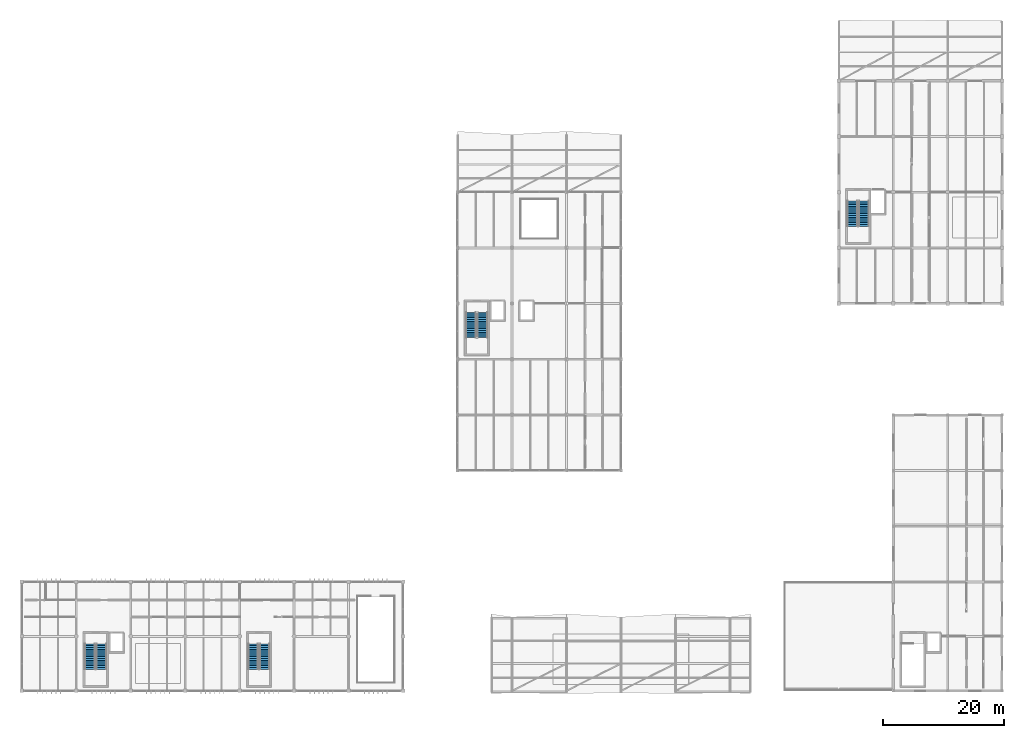
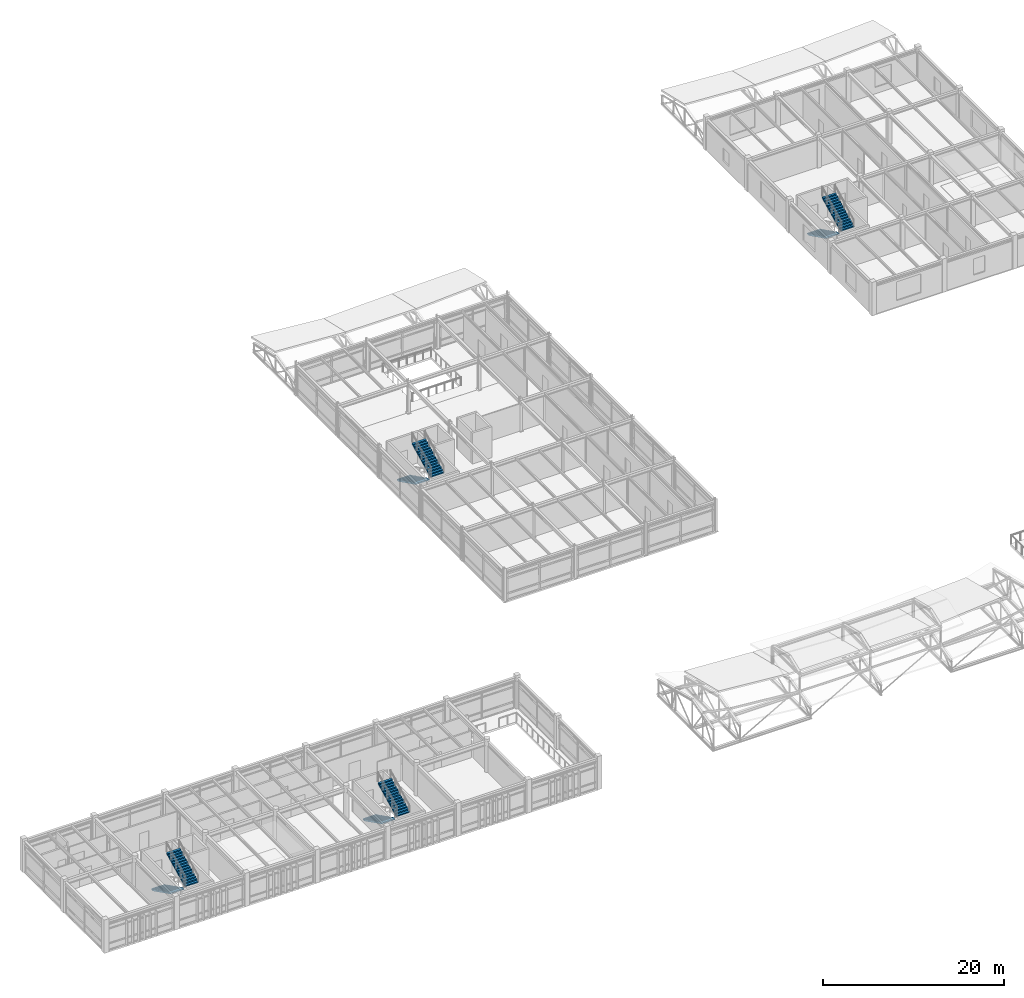
# One storey, part 47 of 55: 8 stair flights, 4 elements without a shape of their own.
"""IFC4 building model written with IfcOpenShell, lengths in metres."""

import ifcopenshell
import ifcopenshell.guid

model = None  # the IFC model being written
_history = None  # IfcOwnerHistory: only IFC2X3 demands one
_inside = {}  # id of a spatial element -> (the spatial element, [elements in it])
_under = {}  # id of a project, library or spatial element -> (it, [spatial elements below it])
_declared = {}  # id of a project -> (the project, [libraries it declares])
_typed = {}  # id of a type object -> (the type object, [elements of that type])
_made_of = {}  # id of a material, layer set ... -> (it, [elements and type objects made of it])


def new_model(schema):
    """Start an empty IFC model of exactly this schema.

    Asked for "IFC4X3", IfcOpenShell would pick the latest addendum, in which some entities
    have other attributes; the version numbers below select the first issue.
    IFC2X3 requires an IfcOwnerHistory on every rooted entity: one is made here for all.
    """
    global model, _history
    if schema == "IFC4X3":
        model = ifcopenshell.file(schema_version=(4, 3, 0, 0))
    else:
        model = ifcopenshell.file(schema=schema)
    _inside.clear()
    _under.clear()
    _declared.clear()
    _typed.clear()
    _made_of.clear()
    _history = None
    if model.schema == "IFC2X3":
        org = make("IfcOrganization", Name="unknown")
        user = make(
            "IfcPersonAndOrganization",
            ThePerson=make("IfcPerson", FamilyName="unknown"),
            TheOrganization=org,
        )
        app = make(
            "IfcApplication",
            ApplicationDeveloper=org,
            Version="unknown",
            ApplicationFullName="unknown",
            ApplicationIdentifier="unknown",
        )
        _history = make(
            "IfcOwnerHistory",
            OwningUser=user,
            OwningApplication=app,
            ChangeAction="ADDED",
            CreationDate=0,
        )
    return model


def make(cls, **values):
    """One entity of the class cls with the attributes given. An attribute that is None is left unset."""
    return model.create_entity(
        cls, **{name: value for name, value in values.items() if value is not None}
    )


def rooted(cls, **values):
    """An entity with a GlobalId (a new one), such as an element, a storey or a relation."""
    return make(cls, GlobalId=ifcopenshell.guid.new(), OwnerHistory=_history, **values)


def si_unit(unit_type, name, prefix=None):
    """IfcSIUnit, for example si_unit("LENGTHUNIT", "METRE", prefix="MILLI")."""
    return make("IfcSIUnit", UnitType=unit_type, Prefix=prefix, Name=name)


def assignment(units):
    """IfcUnitAssignment: the units of a project."""
    return None if units is None else make("IfcUnitAssignment", Units=units)


def point(xyz):
    """IfcCartesianPoint."""
    return None if xyz is None else make("IfcCartesianPoint", Coordinates=xyz)


def direction(xyz):
    """IfcDirection."""
    return None if xyz is None else make("IfcDirection", DirectionRatios=xyz)


def frame(location, z_axis=None, x_axis=None):
    """IfcAxis2Placement3D, a coordinate frame: its origin and axes. An axis left out is left unset."""
    return make(
        "IfcAxis2Placement3D",
        Location=point(location),
        Axis=direction(z_axis),
        RefDirection=direction(x_axis),
    )


def origin():
    """The frame at (0, 0, 0) with its axes left unset."""
    return frame((0.0, 0.0, 0.0))


def place(relative_to, where):
    """IfcLocalPlacement: puts the frame where relative to a parent placement (None: the world)."""
    return make(
        "IfcLocalPlacement", PlacementRelTo=relative_to, RelativePlacement=where
    )


def context(
    kind, dimensions, precision=None, world=None, true_north=None, identifier=None
):
    """IfcGeometricRepresentationContext, for example the 3D "Model" context."""
    return make(
        "IfcGeometricRepresentationContext",
        ContextIdentifier=identifier,
        ContextType=kind,
        CoordinateSpaceDimension=dimensions,
        Precision=precision,
        WorldCoordinateSystem=world,
        TrueNorth=true_north,
    )


def subcontext(parent, identifier, kind, view, scale=None):
    """IfcGeometricRepresentationSubContext, for example "Body" below "Model"."""
    return make(
        "IfcGeometricRepresentationSubContext",
        ContextIdentifier=identifier,
        ContextType=kind,
        ParentContext=parent,
        TargetScale=scale,
        TargetView=view,
    )


def project(units=None, contexts=None):
    """IfcProject with its units and contexts."""
    return rooted(
        "IfcProject",
        Name="project",
        RepresentationContexts=contexts,
        UnitsInContext=assignment(units),
    )


def spatial(cls, under=None, at=None, **own):
    """A site, building, storey or space (cls), placed at a placement, below another one or the project."""
    s = rooted(cls, ObjectPlacement=at, **own)
    if under is not None:
        _under.setdefault(under.id(), (under, []))[1].append(s)
    return s


def polyline(points):
    """IfcPolyline through the points."""
    return make("IfcPolyline", Points=[point(p) for p in points])


def outline(outer, holes=None, kind="AREA"):
    """IfcArbitraryClosedProfileDef: a profile drawn as a closed curve; with holes, ...WithVoids."""
    if holes is None:
        return make("IfcArbitraryClosedProfileDef", ProfileType=kind, OuterCurve=outer)
    return make(
        "IfcArbitraryProfileDefWithVoids",
        ProfileType=kind,
        OuterCurve=outer,
        InnerCurves=holes,
    )


def extrude(swept, where, along, depth):
    """IfcExtrudedAreaSolid: the profile swept, set in the frame where, extruded along a direction by depth."""
    return make(
        "IfcExtrudedAreaSolid",
        SweptArea=swept,
        Position=where,
        ExtrudedDirection=direction(along),
        Depth=depth,
    )


def shape(context_of_items, identifier, shape_type, items):
    """IfcShapeRepresentation: the items that make up one representation, for example the "Body"."""
    return make(
        "IfcShapeRepresentation",
        ContextOfItems=context_of_items,
        RepresentationIdentifier=identifier,
        RepresentationType=shape_type,
        Items=items,
    )


def material(Name=None, Category=None):
    """IfcMaterial."""
    return make("IfcMaterial", Name=Name, Category=Category)


def made_of(thing, what):
    """Note that an element or type object is made of a material, layer set ...; save() writes the relation."""
    if what is not None:
        _made_of.setdefault(what.id(), (what, []))[1].append(thing)
    return thing


def type_object(cls, material=None, **own):
    """A type object (cls), such as IfcWallType, which elements share."""
    return made_of(rooted(cls, **own), material)


def element(
    cls,
    number,
    at=None,
    inside=None,
    cuts=None,
    type_object=None,
    material=None,
    context=None,
    identifier="Body",
    shape_type=None,
    held_by="IfcProductDefinitionShape",
    body=None,
    shapes=None,
    **own,
):
    """One element of the class cls, such as IfcWall. Its Tag is "e" and its number.

    at: its placement. inside: the storey or other place that contains it. cuts: it is an
    opening in that element (IfcRelVoidsElement). A single representation is given by context,
    identifier, shape_type and body (its items); several are given by shapes. held_by: the class
    of the entity that holds the representations. save() writes the other relations.
    """
    e = rooted(cls, Tag="e%d" % number, ObjectPlacement=at, **own)
    if body is not None:
        shapes = [shape(context, identifier, shape_type, body)]
    if shapes is not None:
        e.Representation = make(held_by, Representations=shapes)
    if inside is not None:
        _inside.setdefault(inside.id(), (inside, []))[1].append(e)
    if cuts is not None:
        rooted(
            "IfcRelVoidsElement", RelatingBuildingElement=cuts, RelatedOpeningElement=e
        )
    if type_object is not None:
        _typed.setdefault(type_object.id(), (type_object, []))[1].append(e)
    return made_of(e, material)


def aggregate(whole, parts):
    """IfcRelAggregates: a whole, such as a stair, and the parts it consists of."""
    return rooted("IfcRelAggregates", RelatingObject=whole, RelatedObjects=parts)


def save(model, path):
    """Write the relations noted so far, then the file.

    IfcRelAggregates (storeys below a building ...), IfcRelContainedInSpatialStructure (elements
    in a storey), IfcRelDefinesByType, IfcRelAssociatesMaterial and IfcRelDeclares: one each for
    every whole, place, type object, material and project.
    """
    for whole, parts in _under.values():
        aggregate(whole, parts)
    for where, things in _inside.values():
        rooted(
            "IfcRelContainedInSpatialStructure",
            RelatedElements=things,
            RelatingStructure=where,
        )
    for kind, things in _typed.values():
        rooted("IfcRelDefinesByType", RelatedObjects=things, RelatingType=kind)
    for what, things in _made_of.values():
        rooted("IfcRelAssociatesMaterial", RelatedObjects=things, RelatingMaterial=what)
    for by, libraries in _declared.values():
        rooted("IfcRelDeclares", RelatingContext=by, RelatedDefinitions=libraries)
    model.write(path)


model = new_model("IFC4")

# Units and contexts
model_context = context("Model", 3, precision=1e-05, world=origin(), true_north=direction((0.0, 1.0)))
body_context = subcontext(model_context, "Body", "Model", "MODEL_VIEW")
ifc_project = project(units=[si_unit("LENGTHUNIT", "METRE"), si_unit("AREAUNIT", "SQUARE_METRE"), si_unit("VOLUMEUNIT", "CUBIC_METRE"), si_unit("PLANEANGLEUNIT", "RADIAN"), si_unit("MASSUNIT", "GRAM", prefix="KILO")], contexts=[model_context])

# Site, building, storey
site_placement = place(None, origin())
site = spatial("IfcSite", under=ifc_project, at=site_placement, CompositionType="ELEMENT")
building_placement = place(site_placement, origin())
building = spatial("IfcBuilding", under=site, at=building_placement, Name="Bozkorgan Art Gallery", CompositionType="ELEMENT")
storey_placement = place(building_placement, frame((0.0, 0.0, 15.0)))
storey = spatial("IfcBuildingStorey", under=building, at=storey_placement, Name="L03", CompositionType="ELEMENT", Elevation=15.0)

# Stair, stair flights
ifc_material = material(Name="Concrete C35/45", Category="concrete")
stair_type_1 = type_object("IfcStairType", Name="STAIR-CORE1", PredefinedType="HALF_TURN_STAIR", material=ifc_material)
stair_1_placement = place(storey_placement, origin())
stair_1 = element("IfcStair", 1, at=stair_1_placement, inside=storey, type_object=stair_type_1, Name="L03 ST1 Core Stair", PredefinedType="HALF_TURN_STAIR")
stair_flight_type_1 = type_object("IfcStairFlightType", Name="SFLT-CORE1", PredefinedType="STRAIGHT", material=ifc_material)
stair_flight_1_placement = place(storey_placement, frame((13.25, 9.75, 0.0), z_axis=(0.0, 0.0, 1.0), x_axis=(0.0, -1.0, 0.0)))
stair_flight_1 = element("IfcStairFlight", 2, at=stair_flight_1_placement, type_object=stair_flight_type_1, Name="ST1 flight 1", NumberOfRisers=15, NumberOfTreads=14, PredefinedType="STRAIGHT", RiserHeight=0.15, TreadLength=0.3, context=body_context, shape_type="SweptSolid", body=[
    extrude(outline(polyline([(0.0, 0.0), (0.0, 0.14990234375), (0.300048828125, 0.14990234375), (0.300048828125, 0.300048828125), (0.60009765625, 0.300048828125), (0.60009765625, 0.449951171875), (0.89990234375, 0.449951171875), (0.89990234375, 0.60009765625), (1.199951171875, 0.60009765625), (1.199951171875, 0.75), (1.5, 0.75), (1.5, 0.89990234375), (1.800048828125, 0.89990234375), (1.800048828125, 1.050048828125), (2.10009765625, 1.050048828125), (2.10009765625, 1.199951171875), (2.39990234375, 1.199951171875), (2.39990234375, 1.35009765625), (2.699951171875, 1.35009765625), (2.699951171875, 1.5), (3.0, 1.5), (3.0, 1.64990234375), (3.300048828125, 1.64990234375), (3.300048828125, 1.800048828125), (3.60009765625, 1.800048828125), (3.60009765625, 1.949951171875), (3.89990234375, 1.949951171875), (3.89990234375, 2.10009765625), (4.199951171875, 2.10009765625), (4.199951171875, 2.25), (4.199951171875, 1.932373046875), (0.335205078125, 0.0), (0.0, 0.0)])), frame((0.0, 0.85009765625, 0.0), z_axis=(0.0, -1.0, 0.0), x_axis=(1.0, 0.0, 0.0)), (0.0, 0.0, 1.0), 1.699951171875),
])
stair_flight_2_placement = place(storey_placement, frame((15.14990234375, 5.550048828125, 2.25), z_axis=(0.0, 0.0, 1.0), x_axis=(0.0, 1.0, 0.0)))
stair_flight_2 = element("IfcStairFlight", 3, at=stair_flight_2_placement, type_object=stair_flight_type_1, Name="ST1 flight 2", NumberOfRisers=15, NumberOfTreads=14, PredefinedType="STRAIGHT", RiserHeight=0.15, TreadLength=0.3, context=body_context, shape_type="SweptSolid", body=[
    extrude(outline(polyline([(0.0, 0.0), (0.0, 0.14990234375), (0.300048828125, 0.14990234375), (0.300048828125, 0.300048828125), (0.60009765625, 0.300048828125), (0.60009765625, 0.449951171875), (0.89990234375, 0.449951171875), (0.89990234375, 0.60009765625), (1.199951171875, 0.60009765625), (1.199951171875, 0.75), (1.5, 0.75), (1.5, 0.89990234375), (1.800048828125, 0.89990234375), (1.800048828125, 1.050048828125), (2.10009765625, 1.050048828125), (2.10009765625, 1.199951171875), (2.39990234375, 1.199951171875), (2.39990234375, 1.35009765625), (2.699951171875, 1.35009765625), (2.699951171875, 1.5), (3.0, 1.5), (3.0, 1.64990234375), (3.300048828125, 1.64990234375), (3.300048828125, 1.800048828125), (3.60009765625, 1.800048828125), (3.60009765625, 1.949951171875), (3.89990234375, 1.949951171875), (3.89990234375, 2.10009765625), (4.199951171875, 2.10009765625), (4.199951171875, 2.25), (4.199951171875, 1.932373046875), (0.335205078125, 0.0), (0.0, 0.0)])), frame((0.0, 0.85009765625, 0.0), z_axis=(0.0, -1.0, 0.0), x_axis=(1.0, 0.0, 0.0)), (0.0, 0.0, 1.0), 1.699951171875),
])
aggregate(stair_1, [stair_flight_1, stair_flight_2])

stair_type_2 = type_object("IfcStairType", Name="STAIR-CORE2", PredefinedType="HALF_TURN_STAIR", material=ifc_material)
stair_2_placement = place(storey_placement, origin())
stair_2 = element("IfcStair", 4, at=stair_2_placement, inside=storey, type_object=stair_type_2, Name="L03 ST2 Core Stair", PredefinedType="HALF_TURN_STAIR")
stair_flight_type_2 = type_object("IfcStairFlightType", Name="SFLT-CORE2", PredefinedType="STRAIGHT", material=ifc_material)
stair_flight_3_placement = place(storey_placement, frame((76.25, 64.550048828125, 0.0), z_axis=(0.0, 0.0, 1.0), x_axis=(0.0, -1.0, 0.0)))
stair_flight_3 = element("IfcStairFlight", 5, at=stair_flight_3_placement, type_object=stair_flight_type_2, Name="ST2 flight 1", NumberOfRisers=15, NumberOfTreads=14, PredefinedType="STRAIGHT", RiserHeight=0.15, TreadLength=0.3, context=body_context, shape_type="SweptSolid", body=[
    extrude(outline(polyline([(0.0, 0.0), (0.0, 0.14990234375), (0.300048828125, 0.14990234375), (0.300048828125, 0.300048828125), (0.60009765625, 0.300048828125), (0.60009765625, 0.449951171875), (0.89990234375, 0.449951171875), (0.89990234375, 0.60009765625), (1.199951171875, 0.60009765625), (1.199951171875, 0.75), (1.5, 0.75), (1.5, 0.89990234375), (1.800048828125, 0.89990234375), (1.800048828125, 1.050048828125), (2.10009765625, 1.050048828125), (2.10009765625, 1.199951171875), (2.39990234375, 1.199951171875), (2.39990234375, 1.35009765625), (2.699951171875, 1.35009765625), (2.699951171875, 1.5), (3.0, 1.5), (3.0, 1.64990234375), (3.300048828125, 1.64990234375), (3.300048828125, 1.800048828125), (3.60009765625, 1.800048828125), (3.60009765625, 1.949951171875), (3.89990234375, 1.949951171875), (3.89990234375, 2.10009765625), (4.199951171875, 2.10009765625), (4.199951171875, 2.25), (4.199951171875, 1.932373046875), (0.335205078125, 0.0), (0.0, 0.0)])), frame((0.0, 0.85009765625, 0.0), z_axis=(0.0, -1.0, 0.0), x_axis=(1.0, 0.0, 0.0)), (0.0, 0.0, 1.0), 1.699951171875),
])
stair_flight_4_placement = place(storey_placement, frame((78.14990234375, 60.35009765625, 2.25), z_axis=(0.0, 0.0, 1.0), x_axis=(0.0, 1.0, 0.0)))
stair_flight_4 = element("IfcStairFlight", 6, at=stair_flight_4_placement, type_object=stair_flight_type_2, Name="ST2 flight 2", NumberOfRisers=15, NumberOfTreads=14, PredefinedType="STRAIGHT", RiserHeight=0.15, TreadLength=0.3, context=body_context, shape_type="SweptSolid", body=[
    extrude(outline(polyline([(0.0, 0.0), (0.0, 0.14990234375), (0.300048828125, 0.14990234375), (0.300048828125, 0.300048828125), (0.60009765625, 0.300048828125), (0.60009765625, 0.449951171875), (0.89990234375, 0.449951171875), (0.89990234375, 0.60009765625), (1.199951171875, 0.60009765625), (1.199951171875, 0.75), (1.5, 0.75), (1.5, 0.89990234375), (1.800048828125, 0.89990234375), (1.800048828125, 1.050048828125), (2.10009765625, 1.050048828125), (2.10009765625, 1.199951171875), (2.39990234375, 1.199951171875), (2.39990234375, 1.35009765625), (2.699951171875, 1.35009765625), (2.699951171875, 1.5), (3.0, 1.5), (3.0, 1.64990234375), (3.300048828125, 1.64990234375), (3.300048828125, 1.800048828125), (3.60009765625, 1.800048828125), (3.60009765625, 1.949951171875), (3.89990234375, 1.949951171875), (3.89990234375, 2.10009765625), (4.199951171875, 2.10009765625), (4.199951171875, 2.25), (4.199951171875, 1.932373046875), (0.335205078125, 0.0), (0.0, 0.0)])), frame((0.0, 0.85009765625, 0.0), z_axis=(0.0, -1.0, 0.0), x_axis=(1.0, 0.0, 0.0)), (0.0, 0.0, 1.0), 1.699951171875),
])
aggregate(stair_2, [stair_flight_3, stair_flight_4])

stair_type_3 = type_object("IfcStairType", Name="STAIR-CORE3", PredefinedType="HALF_TURN_STAIR", material=ifc_material)
stair_3_placement = place(storey_placement, origin())
stair_3 = element("IfcStair", 7, at=stair_3_placement, inside=storey, type_object=stair_type_3, Name="L03 ST3 Core Stair", PredefinedType="HALF_TURN_STAIR")
stair_flight_type_3 = type_object("IfcStairFlightType", Name="SFLT-CORE3", PredefinedType="STRAIGHT", material=ifc_material)
stair_flight_5_placement = place(storey_placement, frame((139.25, 82.949951171875, 0.0), z_axis=(0.0, 0.0, 1.0), x_axis=(0.0, -1.0, 0.0)))
stair_flight_5 = element("IfcStairFlight", 8, at=stair_flight_5_placement, type_object=stair_flight_type_3, Name="ST3 flight 1", NumberOfRisers=15, NumberOfTreads=14, PredefinedType="STRAIGHT", RiserHeight=0.15, TreadLength=0.3, context=body_context, shape_type="SweptSolid", body=[
    extrude(outline(polyline([(0.0, 0.0), (0.0, 0.14990234375), (0.300048828125, 0.14990234375), (0.300048828125, 0.300048828125), (0.60009765625, 0.300048828125), (0.60009765625, 0.449951171875), (0.89990234375, 0.449951171875), (0.89990234375, 0.60009765625), (1.199951171875, 0.60009765625), (1.199951171875, 0.75), (1.5, 0.75), (1.5, 0.89990234375), (1.800048828125, 0.89990234375), (1.800048828125, 1.050048828125), (2.10009765625, 1.050048828125), (2.10009765625, 1.199951171875), (2.39990234375, 1.199951171875), (2.39990234375, 1.35009765625), (2.699951171875, 1.35009765625), (2.699951171875, 1.5), (3.0, 1.5), (3.0, 1.64990234375), (3.300048828125, 1.64990234375), (3.300048828125, 1.800048828125), (3.60009765625, 1.800048828125), (3.60009765625, 1.949951171875), (3.89990234375, 1.949951171875), (3.89990234375, 2.10009765625), (4.199951171875, 2.10009765625), (4.199951171875, 2.25), (4.199951171875, 1.932373046875), (0.335205078125, 0.0), (0.0, 0.0)])), frame((0.0, 0.85009765625, 0.0), z_axis=(0.0, -1.0, 0.0), x_axis=(1.0, 0.0, 0.0)), (0.0, 0.0, 1.0), 1.699951171875),
])
stair_flight_6_placement = place(storey_placement, frame((141.14990234375, 78.75, 2.25), z_axis=(0.0, 0.0, 1.0), x_axis=(0.0, 1.0, 0.0)))
stair_flight_6 = element("IfcStairFlight", 9, at=stair_flight_6_placement, type_object=stair_flight_type_3, Name="ST3 flight 2", NumberOfRisers=15, NumberOfTreads=14, PredefinedType="STRAIGHT", RiserHeight=0.15, TreadLength=0.3, context=body_context, shape_type="SweptSolid", body=[
    extrude(outline(polyline([(0.0, 0.0), (0.0, 0.14990234375), (0.300048828125, 0.14990234375), (0.300048828125, 0.300048828125), (0.60009765625, 0.300048828125), (0.60009765625, 0.449951171875), (0.89990234375, 0.449951171875), (0.89990234375, 0.60009765625), (1.199951171875, 0.60009765625), (1.199951171875, 0.75), (1.5, 0.75), (1.5, 0.89990234375), (1.800048828125, 0.89990234375), (1.800048828125, 1.050048828125), (2.10009765625, 1.050048828125), (2.10009765625, 1.199951171875), (2.39990234375, 1.199951171875), (2.39990234375, 1.35009765625), (2.699951171875, 1.35009765625), (2.699951171875, 1.5), (3.0, 1.5), (3.0, 1.64990234375), (3.300048828125, 1.64990234375), (3.300048828125, 1.800048828125), (3.60009765625, 1.800048828125), (3.60009765625, 1.949951171875), (3.89990234375, 1.949951171875), (3.89990234375, 2.10009765625), (4.199951171875, 2.10009765625), (4.199951171875, 2.25), (4.199951171875, 1.932373046875), (0.335205078125, 0.0), (0.0, 0.0)])), frame((0.0, 0.85009765625, 0.0), z_axis=(0.0, -1.0, 0.0), x_axis=(1.0, 0.0, 0.0)), (0.0, 0.0, 1.0), 1.699951171875),
])
aggregate(stair_3, [stair_flight_5, stair_flight_6])

stair_type_4 = type_object("IfcStairType", Name="STAIR-CORE7", PredefinedType="HALF_TURN_STAIR", material=ifc_material)
stair_4_placement = place(storey_placement, origin())
stair_4 = element("IfcStair", 10, at=stair_4_placement, inside=storey, type_object=stair_type_4, Name="L03 ST12 Core Stair", PredefinedType="HALF_TURN_STAIR")
stair_flight_type_4 = type_object("IfcStairFlightType", Name="SFLT-CORE7", PredefinedType="STRAIGHT", material=ifc_material)
stair_flight_7_placement = place(storey_placement, frame((40.25, 9.75, 0.0), z_axis=(0.0, 0.0, 1.0), x_axis=(0.0, -1.0, 0.0)))
stair_flight_7 = element("IfcStairFlight", 11, at=stair_flight_7_placement, type_object=stair_flight_type_4, Name="ST12 flight 1", NumberOfRisers=15, NumberOfTreads=14, PredefinedType="STRAIGHT", RiserHeight=0.15, TreadLength=0.3, context=body_context, shape_type="SweptSolid", body=[
    extrude(outline(polyline([(0.0, 0.0), (0.0, 0.14990234375), (0.300048828125, 0.14990234375), (0.300048828125, 0.300048828125), (0.60009765625, 0.300048828125), (0.60009765625, 0.449951171875), (0.89990234375, 0.449951171875), (0.89990234375, 0.60009765625), (1.199951171875, 0.60009765625), (1.199951171875, 0.75), (1.5, 0.75), (1.5, 0.89990234375), (1.800048828125, 0.89990234375), (1.800048828125, 1.050048828125), (2.10009765625, 1.050048828125), (2.10009765625, 1.199951171875), (2.39990234375, 1.199951171875), (2.39990234375, 1.35009765625), (2.699951171875, 1.35009765625), (2.699951171875, 1.5), (3.0, 1.5), (3.0, 1.64990234375), (3.300048828125, 1.64990234375), (3.300048828125, 1.800048828125), (3.60009765625, 1.800048828125), (3.60009765625, 1.949951171875), (3.89990234375, 1.949951171875), (3.89990234375, 2.10009765625), (4.199951171875, 2.10009765625), (4.199951171875, 2.25), (4.199951171875, 1.932373046875), (0.335205078125, 0.0), (0.0, 0.0)])), frame((0.0, 0.85009765625, 0.0), z_axis=(0.0, -1.0, 0.0), x_axis=(1.0, 0.0, 0.0)), (0.0, 0.0, 1.0), 1.699951171875),
])
stair_flight_8_placement = place(storey_placement, frame((42.14990234375, 5.550048828125, 2.25), z_axis=(0.0, 0.0, 1.0), x_axis=(0.0, 1.0, 0.0)))
stair_flight_8 = element("IfcStairFlight", 12, at=stair_flight_8_placement, type_object=stair_flight_type_4, Name="ST12 flight 2", NumberOfRisers=15, NumberOfTreads=14, PredefinedType="STRAIGHT", RiserHeight=0.15, TreadLength=0.3, context=body_context, shape_type="SweptSolid", body=[
    extrude(outline(polyline([(0.0, 0.0), (0.0, 0.14990234375), (0.300048828125, 0.14990234375), (0.300048828125, 0.300048828125), (0.60009765625, 0.300048828125), (0.60009765625, 0.449951171875), (0.89990234375, 0.449951171875), (0.89990234375, 0.60009765625), (1.199951171875, 0.60009765625), (1.199951171875, 0.75), (1.5, 0.75), (1.5, 0.89990234375), (1.800048828125, 0.89990234375), (1.800048828125, 1.050048828125), (2.10009765625, 1.050048828125), (2.10009765625, 1.199951171875), (2.39990234375, 1.199951171875), (2.39990234375, 1.35009765625), (2.699951171875, 1.35009765625), (2.699951171875, 1.5), (3.0, 1.5), (3.0, 1.64990234375), (3.300048828125, 1.64990234375), (3.300048828125, 1.800048828125), (3.60009765625, 1.800048828125), (3.60009765625, 1.949951171875), (3.89990234375, 1.949951171875), (3.89990234375, 2.10009765625), (4.199951171875, 2.10009765625), (4.199951171875, 2.25), (4.199951171875, 1.932373046875), (0.335205078125, 0.0), (0.0, 0.0)])), frame((0.0, 0.85009765625, 0.0), z_axis=(0.0, -1.0, 0.0), x_axis=(1.0, 0.0, 0.0)), (0.0, 0.0, 1.0), 1.699951171875),
])
aggregate(stair_4, [stair_flight_7, stair_flight_8])

save(model, "model.ifc")
